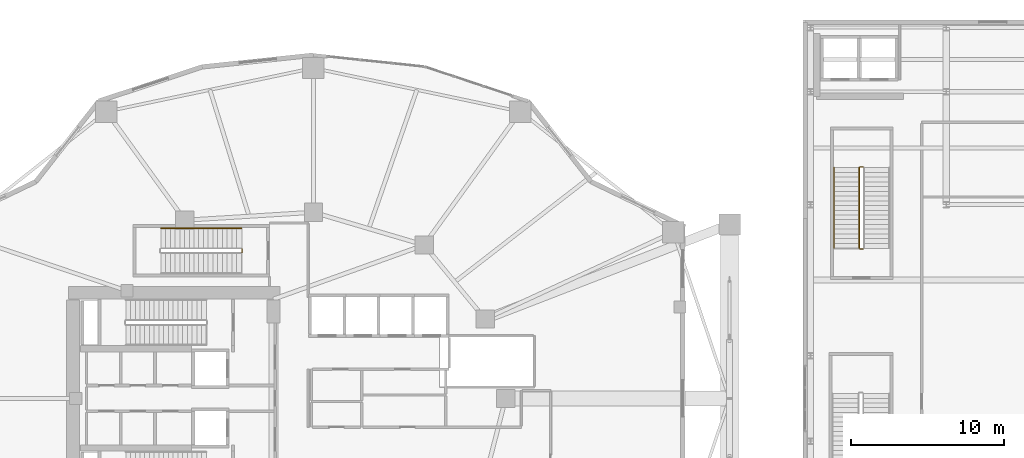
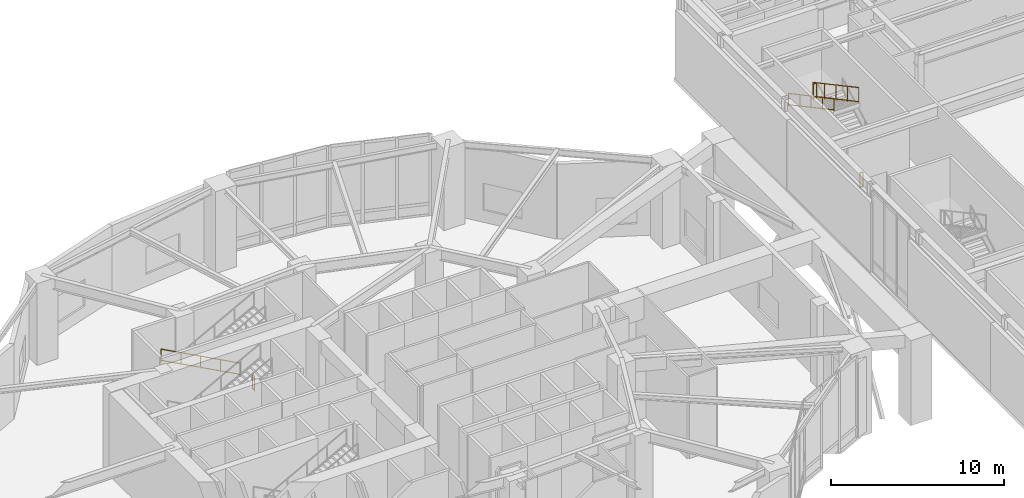
# One storey, part 24 of 25: 6 railings.
"""IFC4 building model written with IfcOpenShell, lengths in metres."""

from ifc_helpers import new_model, si_unit, direction, frame, origin, origin_2d, place, context, subcontext, project, spatial, rectangle, extrude, material, type_object, element, save


model = new_model("IFC4")

# Units and contexts
model_context = context("Model", 3, precision=1e-05, world=origin(), true_north=direction((0.0, 1.0)))
body_context = subcontext(model_context, "Body", "Model", "MODEL_VIEW")
ifc_project = project(units=[si_unit("LENGTHUNIT", "METRE"), si_unit("AREAUNIT", "SQUARE_METRE"), si_unit("VOLUMEUNIT", "CUBIC_METRE"), si_unit("PLANEANGLEUNIT", "RADIAN"), si_unit("MASSUNIT", "GRAM", prefix="KILO")], contexts=[model_context])

# Site, building, storey
site_placement = place(None, origin())
site = spatial("IfcSite", under=ifc_project, at=site_placement, CompositionType="ELEMENT")
building_placement = place(site_placement, origin())
building = spatial("IfcBuilding", under=site, at=building_placement, Name="Kolvaren Gate Tower and Convention Centre", CompositionType="ELEMENT")
storey_placement = place(building_placement, frame((0.0, 0.0, 15.0)))
storey = spatial("IfcBuildingStorey", under=building, at=storey_placement, Name="L03", CompositionType="ELEMENT", Elevation=15.0)

# Railings
ifc_material = material(Name="Brushed Stainless Steel Grade 316L", Category="steel")
railing_type_1 = type_object("IfcRailingType", Name="ARCH-RL-GUARD-1150", PredefinedType="GUARDRAIL", material=ifc_material)
railing_1_placement = place(storey_placement, frame((25.449951171875, 36.780029296875, 0.0)))
element("IfcRailing", 1, at=railing_1_placement, inside=storey, type_object=railing_type_1, Name="L03 ST-T3 stair guard 4", PredefinedType="GUARDRAIL", context=body_context, shape_type="SweptSolid", body=[
    extrude(rectangle(XDim=0.048095703125, YDim=0.048095703125, at=origin_2d()), frame((0.0, 0.0, 1.076171875), z_axis=(0.0, -1.0, 0.0), x_axis=(1.0, 0.0, 0.0)), (0.0, 0.0, 1.0), 0.199951171875),
    extrude(rectangle(XDim=0.048095703125, YDim=0.048095703125, at=origin_2d()), frame((0.0, 0.0, 0.083984375), z_axis=(0.0, -1.0, 0.0), x_axis=(1.0, 0.0, 0.0)), (0.0, 0.0, 1.0), 0.199951171875),
    extrude(rectangle(XDim=0.0419921875, YDim=0.0419921875, at=origin_2d()), origin(), (0.0, 0.0, 1.0), 1.050048828125),
    extrude(rectangle(XDim=0.0419921875, YDim=0.0419921875, at=origin_2d()), frame((0.0, -0.199951171875, 0.0)), (0.0, 0.0, 1.0), 1.050048828125),
])
railing_2_placement = place(storey_placement, frame((66.14990234375, 42.169921875, 3.0)))
element("IfcRailing", 2, at=railing_2_placement, inside=storey, type_object=railing_type_1, Name="L03 ST-C1 stair guard 2", PredefinedType="GUARDRAIL", context=body_context, shape_type="SweptSolid", body=[
    extrude(rectangle(XDim=0.048095703125, YDim=0.048095703125, at=origin_2d()), frame((0.0, 0.0, 1.076171875), z_axis=(-1.0, 0.0, 0.0), x_axis=(0.0, -1.0, 0.0)), (0.0, 0.0, 1.0), 0.199951171875),
    extrude(rectangle(XDim=0.048095703125, YDim=0.048095703125, at=origin_2d()), frame((0.0, 0.0, 0.083984375), z_axis=(-1.0, 0.0, 0.0), x_axis=(0.0, -1.0, 0.0)), (0.0, 0.0, 1.0), 0.199951171875),
    extrude(rectangle(XDim=0.0419921875, YDim=0.0419921875, at=origin_2d()), origin(), (0.0, 0.0, 1.0), 1.050048828125),
    extrude(rectangle(XDim=0.0419921875, YDim=0.0419921875, at=origin_2d()), frame((-0.199951171875, 0.0, 0.0)), (0.0, 0.0, 1.0), 1.050048828125),
])
railing_3_placement = place(storey_placement, frame((65.89990234375, 42.1201171875, 3.166748046875)))
element("IfcRailing", 3, at=railing_3_placement, inside=storey, type_object=railing_type_1, Name="L03 ST-C1 stair guard 3", PredefinedType="GUARDRAIL", context=body_context, shape_type="SweptSolid", body=[
    extrude(rectangle(XDim=0.048095703125, YDim=0.048095703125, at=origin_2d()), frame((0.0, 0.0, 1.076171875), z_axis=(0.0, -0.88078142842, 0.473523046271), x_axis=(1.0, 0.0, 0.0)), (0.0, 0.0, 1.0), 5.9833984375),
    extrude(rectangle(XDim=0.048095703125, YDim=0.048095703125, at=origin_2d()), frame((0.0, 0.0, 0.083984375), z_axis=(0.0, -0.88078142842, 0.473523046271), x_axis=(1.0, 0.0, 0.0)), (0.0, 0.0, 1.0), 5.9833984375),
    extrude(rectangle(XDim=0.0419921875, YDim=0.0419921875, at=origin_2d()), origin(), (0.0, 0.0, 1.0), 1.050048828125),
    extrude(rectangle(XDim=0.0419921875, YDim=0.0419921875, at=origin_2d()), frame((0.0, -5.27001953125, 2.833251953125)), (0.0, 0.0, 1.0), 1.050048828125),
    extrude(rectangle(XDim=0.0419921875, YDim=0.0419921875, at=origin_2d()), frame((0.0, -1.3173828125, 0.708251953125)), (0.0, 0.0, 1.0), 1.050048828125),
    extrude(rectangle(XDim=0.0419921875, YDim=0.0419921875, at=origin_2d()), frame((0.0, -2.635009765625, 1.41650390625)), (0.0, 0.0, 1.0), 1.050048828125),
    extrude(rectangle(XDim=0.0419921875, YDim=0.0419921875, at=origin_2d()), frame((0.0, -3.95263671875, 2.125)), (0.0, 0.0, 1.0), 1.050048828125),
])
railing_4_placement = place(storey_placement, frame((66.14990234375, 36.800048828125, 0.0)))
element("IfcRailing", 4, at=railing_4_placement, inside=storey, type_object=railing_type_1, Name="L03 ST-C1 stair guard 4", PredefinedType="GUARDRAIL", context=body_context, shape_type="SweptSolid", body=[
    extrude(rectangle(XDim=0.048095703125, YDim=0.048095703125, at=origin_2d()), frame((0.0, 0.0, 1.076171875), z_axis=(-1.0, 0.0, 0.0), x_axis=(0.0, -1.0, 0.0)), (0.0, 0.0, 1.0), 0.199951171875),
    extrude(rectangle(XDim=0.048095703125, YDim=0.048095703125, at=origin_2d()), frame((0.0, 0.0, 0.083984375), z_axis=(-1.0, 0.0, 0.0), x_axis=(0.0, -1.0, 0.0)), (0.0, 0.0, 1.0), 0.199951171875),
    extrude(rectangle(XDim=0.0419921875, YDim=0.0419921875, at=origin_2d()), origin(), (0.0, 0.0, 1.0), 1.050048828125),
    extrude(rectangle(XDim=0.0419921875, YDim=0.0419921875, at=origin_2d()), frame((-0.199951171875, 0.0, 0.0)), (0.0, 0.0, 1.0), 1.050048828125),
])
railing_type_2 = type_object("IfcRailingType", Name="ARCH-RL-HANDRAIL-920", PredefinedType="HANDRAIL", material=ifc_material)
railing_5_placement = place(storey_placement, frame((25.39990234375, 38.14990234375, 0.166748046875)))
element("IfcRailing", 5, at=railing_5_placement, inside=storey, type_object=railing_type_2, Name="L03 ST-T3 stair handrail 1", PredefinedType="HANDRAIL", context=body_context, shape_type="SweptSolid", body=[
    extrude(rectangle(XDim=0.048095703125, YDim=0.048095703125, at=origin_2d()), frame((0.0, 0.0, 0.8759765625), z_axis=(-0.88078142842, 0.0, 0.473523046271), x_axis=(0.0, -1.0, 0.0)), (0.0, 0.0, 1.0), 5.9833984375),
    extrude(rectangle(XDim=0.048095703125, YDim=0.048095703125, at=origin_2d()), frame((0.0, 0.0, 0.083984375), z_axis=(-0.88078142842, 0.0, 0.473523046271), x_axis=(0.0, -1.0, 0.0)), (0.0, 0.0, 1.0), 5.9833984375),
    extrude(rectangle(XDim=0.0419921875, YDim=0.0419921875, at=origin_2d()), origin(), (0.0, 0.0, 1.0), 0.849853515625),
    extrude(rectangle(XDim=0.0419921875, YDim=0.0419921875, at=origin_2d()), frame((-5.27001953125, 0.0, 2.833251953125)), (0.0, 0.0, 1.0), 0.849853515625),
    extrude(rectangle(XDim=0.0419921875, YDim=0.0419921875, at=origin_2d()), frame((-1.3173828125, 0.0, 0.708251953125)), (0.0, 0.0, 1.0), 0.849853515625),
    extrude(rectangle(XDim=0.0419921875, YDim=0.0419921875, at=origin_2d()), frame((-2.635009765625, 0.0, 1.41650390625)), (0.0, 0.0, 1.0), 0.849853515625),
    extrude(rectangle(XDim=0.0419921875, YDim=0.0419921875, at=origin_2d()), frame((-3.95263671875, 0.0, 2.125)), (0.0, 0.0, 1.0), 0.849853515625),
])
railing_6_placement = place(storey_placement, frame((64.25, 42.1201171875, 3.166748046875)))
element("IfcRailing", 6, at=railing_6_placement, inside=storey, type_object=railing_type_2, Name="L03 ST-C1 stair handrail 2", PredefinedType="HANDRAIL", context=body_context, shape_type="SweptSolid", body=[
    extrude(rectangle(XDim=0.048095703125, YDim=0.048095703125, at=origin_2d()), frame((0.0, 0.0, 0.8759765625), z_axis=(0.0, -0.88078142842, 0.473523046271), x_axis=(1.0, 0.0, 0.0)), (0.0, 0.0, 1.0), 5.9833984375),
    extrude(rectangle(XDim=0.048095703125, YDim=0.048095703125, at=origin_2d()), frame((0.0, 0.0, 0.083984375), z_axis=(0.0, -0.88078142842, 0.473523046271), x_axis=(1.0, 0.0, 0.0)), (0.0, 0.0, 1.0), 5.9833984375),
    extrude(rectangle(XDim=0.0419921875, YDim=0.0419921875, at=origin_2d()), origin(), (0.0, 0.0, 1.0), 0.849853515625),
    extrude(rectangle(XDim=0.0419921875, YDim=0.0419921875, at=origin_2d()), frame((0.0, -5.27001953125, 2.833251953125)), (0.0, 0.0, 1.0), 0.849853515625),
    extrude(rectangle(XDim=0.0419921875, YDim=0.0419921875, at=origin_2d()), frame((0.0, -1.3173828125, 0.708251953125)), (0.0, 0.0, 1.0), 0.849853515625),
    extrude(rectangle(XDim=0.0419921875, YDim=0.0419921875, at=origin_2d()), frame((0.0, -2.635009765625, 1.41650390625)), (0.0, 0.0, 1.0), 0.849853515625),
    extrude(rectangle(XDim=0.0419921875, YDim=0.0419921875, at=origin_2d()), frame((0.0, -3.95263671875, 2.125)), (0.0, 0.0, 1.0), 0.849853515625),
])

save(model, "model.ifc")
